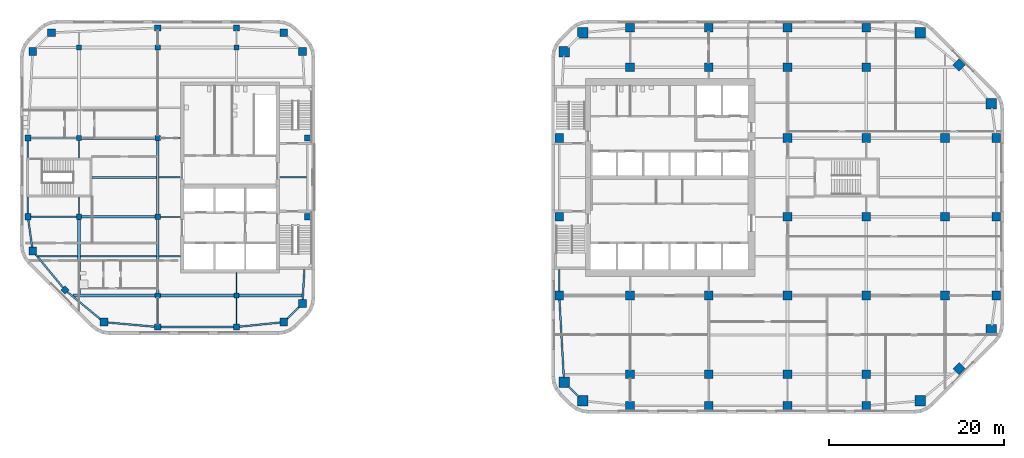
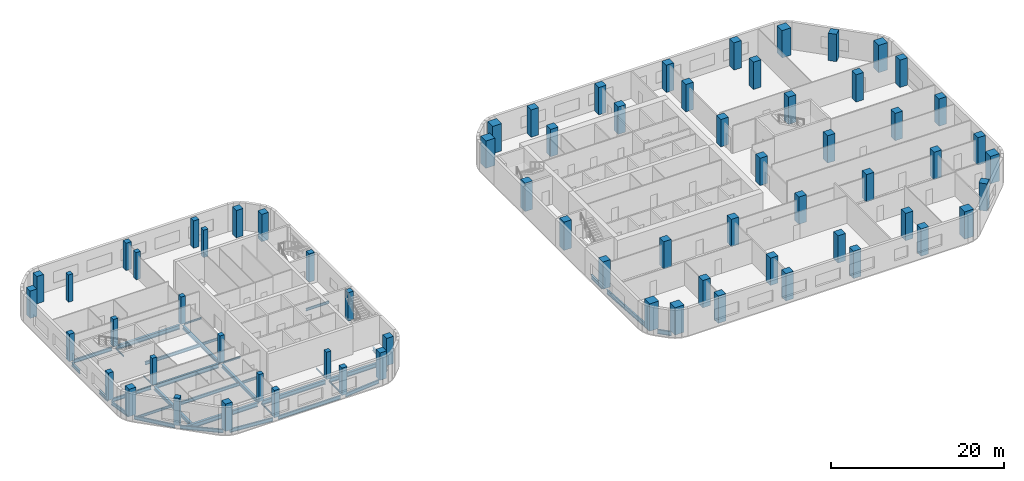
# One storey, part 1 of 14: 69 columns, 36 beams.
"""IFC4 building model written with IfcOpenShell, lengths in metres."""

from ifc_helpers import new_model, si_unit, direction, frame, origin, origin_2d, place, context, subcontext, project, spatial, rectangle, i_section, extrude, material, material_profile, profile_set, type_object, element, save


model = new_model("IFC4")

# Units and contexts
model_context = context("Model", 3, precision=1e-05, world=origin(), true_north=direction((0.0, 1.0)))
body_context = subcontext(model_context, "Body", "Model", "MODEL_VIEW")
ifc_project = project(units=[si_unit("LENGTHUNIT", "METRE"), si_unit("AREAUNIT", "SQUARE_METRE"), si_unit("VOLUMEUNIT", "CUBIC_METRE"), si_unit("PLANEANGLEUNIT", "RADIAN"), si_unit("MASSUNIT", "GRAM", prefix="KILO")], contexts=[model_context])

# Site, building, storey
site_placement = place(None, origin())
site = spatial("IfcSite", under=ifc_project, at=site_placement, CompositionType="ELEMENT")
building_placement = place(site_placement, origin())
building = spatial("IfcBuilding", under=site, at=building_placement, Name="Cinnabar Reach Civic Tower", CompositionType="ELEMENT")
storey_placement = place(building_placement, frame((0.0, 0.0, 104.0)))
storey = spatial("IfcBuildingStorey", under=building, at=storey_placement, Name="L24", CompositionType="ELEMENT", Elevation=104.0)

# Columns
ifc_material_1 = material(Name="Concrete C70", Category="concrete")
ifc_material_profile_1 = material_profile(ifc_material_1, rectangle(XDim=1.0, YDim=1.0, at=origin_2d()), Name="RC1000")
ifc_profile_set_1 = profile_set([ifc_material_profile_1], Name="Concrete C70")
column_type_1 = type_object("IfcColumnType", Name="RC1000 column R 240", PredefinedType="COLUMN", material=ifc_profile_set_1)
for number, where, z_axis, x_axis, name in (
    (1, (9.0, 5.4, 0.0), (0.0, 0.0, 1.0), (1.0, 0.0, 0.0), "Column T1-Z2-F0-1"),
    (2, (18.0, 5.4, 0.0), (0.0, 0.0, 1.0), (1.0, 0.0, 0.0), "Column T1-Z2-F0-2"),
    (3, (27.0, 5.4, 0.0), (0.0, 0.0, 1.0), (1.0, 0.0, 0.0), "Column T1-Z2-F0-3"),
    (4, (36.0, 5.4, 0.0), (0.0, 0.0, 1.0), (1.0, 0.0, 0.0), "Column T1-Z2-F0-4"),
    (5, (46.6136, 9.6364, 0.0), (0.0, 0.0, 1.0), (0.707106781187, 0.707106781187, 0.0), "Column T1-Z2-F1-M"),
    (6, (50.85, 18.0, 0.0), (0.0, 0.0, 1.0), (1.0, 0.0, 0.0), "Column T1-Z2-F2-2"),
    (7, (50.85, 27.0, 0.0), (0.0, 0.0, 1.0), (1.0, 0.0, 0.0), "Column T1-Z2-F2-3"),
    (8, (50.85, 36.0, 0.0), (0.0, 0.0, 1.0), (1.0, 0.0, 0.0), "Column T1-Z2-F2-4"),
    (9, (46.6136, 44.3636, 0.0), (0.0, 0.0, 1.0), (0.707106781187, 0.707106781187, 0.0), "Column T1-Z2-F3-M"),
    (10, (9.0, 48.6, 0.0), (0.0, 0.0, 1.0), (1.0, 0.0, 0.0), "Column T1-Z2-F4-1"),
    (11, (18.0, 48.6, 0.0), (0.0, 0.0, 1.0), (1.0, 0.0, 0.0), "Column T1-Z2-F4-2"),
    (12, (27.0, 48.6, 0.0), (0.0, 0.0, 1.0), (1.0, 0.0, 0.0), "Column T1-Z2-F4-3"),
    (13, (36.0, 48.6, 0.0), (0.0, 0.0, 1.0), (1.0, 0.0, 0.0), "Column T1-Z2-F4-4"),
    (14, (0.9, 18.0, 0.0), (0.0, 0.0, 1.0), (1.0, 0.0, 0.0), "Column T1-Z2-F6-2"),
):
    element("IfcColumn", number, at=place(storey_placement, frame(where, z_axis=z_axis, x_axis=x_axis)), inside=storey, type_object=column_type_1, Name=name, PredefinedType="COLUMN", context=body_context, shape_type="SweptSolid", body=[
        extrude(rectangle(XDim=1.0, YDim=1.0, at=origin_2d()), origin(), (0.0, 0.0, 1.0), 3.85),
    ])
for number, where, z_axis, x_axis, name in (
    (15, (0.9, 27.0, 0.0), (0.0, 0.0, 1.0), (1.0, 0.0, 0.0), "Column T1-Z2-F6-3"),
    (16, (0.9, 36.0, 0.0), (0.0, 0.0, 1.0), (1.0, 0.0, 0.0), "Column T1-Z2-F6-4"),
):
    element("IfcColumn", number, at=place(storey_placement, frame(where, z_axis=z_axis, x_axis=x_axis)), inside=storey, type_object=column_type_1, Name=name, PredefinedType="COLUMN", context=body_context, shape_type="SweptSolid", body=[
        extrude(rectangle(XDim=1.0, YDim=1.0, at=origin_2d()), origin(), (0.0, 0.0, 1.0), 4.0),
    ])
for number, where, z_axis, x_axis, name in (
    (17, (9.0, 9.0, 0.0), (0.0, 0.0, 1.0), (1.0, 0.0, 0.0), "Column T1-Z2-I9_9"),
    (18, (9.0, 18.0, 0.0), (0.0, 0.0, 1.0), (1.0, 0.0, 0.0), "Column T1-Z2-I9_18"),
    (19, (9.0, 44.1, 0.0), (0.0, 0.0, 1.0), (1.0, 0.0, 0.0), "Column T1-Z2-I9_45"),
    (20, (18.0, 9.0, 0.0), (0.0, 0.0, 1.0), (1.0, 0.0, 0.0), "Column T1-Z2-I18_9"),
    (21, (18.0, 18.0, 0.0), (0.0, 0.0, 1.0), (1.0, 0.0, 0.0), "Column T1-Z2-I18_18"),
    (22, (18.0, 44.1, 0.0), (0.0, 0.0, 1.0), (1.0, 0.0, 0.0), "Column T1-Z2-I18_45"),
    (23, (27.0, 9.0, 0.0), (0.0, 0.0, 1.0), (1.0, 0.0, 0.0), "Column T1-Z2-I27_9"),
    (24, (27.0, 18.0, 0.0), (0.0, 0.0, 1.0), (1.0, 0.0, 0.0), "Column T1-Z2-I27_18"),
    (25, (27.0, 27.0, 0.0), (0.0, 0.0, 1.0), (1.0, 0.0, 0.0), "Column T1-Z2-I27_27"),
    (26, (27.0, 36.0, 0.0), (0.0, 0.0, 1.0), (1.0, 0.0, 0.0), "Column T1-Z2-I27_36"),
    (27, (27.0, 44.1, 0.0), (0.0, 0.0, 1.0), (1.0, 0.0, 0.0), "Column T1-Z2-I27_45"),
    (28, (36.0, 9.0, 0.0), (0.0, 0.0, 1.0), (1.0, 0.0, 0.0), "Column T1-Z2-I36_9"),
    (29, (36.0, 18.0, 0.0), (0.0, 0.0, 1.0), (1.0, 0.0, 0.0), "Column T1-Z2-I36_18"),
    (30, (36.0, 27.0, 0.0), (0.0, 0.0, 1.0), (1.0, 0.0, 0.0), "Column T1-Z2-I36_27"),
    (31, (36.0, 36.0, 0.0), (0.0, 0.0, 1.0), (1.0, 0.0, 0.0), "Column T1-Z2-I36_36"),
    (32, (36.0, 44.1, 0.0), (0.0, 0.0, 1.0), (1.0, 0.0, 0.0), "Column T1-Z2-I36_45"),
    (33, (45.0, 18.0, 0.0), (0.0, 0.0, 1.0), (1.0, 0.0, 0.0), "Column T1-Z2-I45_18"),
    (34, (45.0, 27.0, 0.0), (0.0, 0.0, 1.0), (1.0, 0.0, 0.0), "Column T1-Z2-I45_27"),
    (35, (45.0, 36.0, 0.0), (0.0, 0.0, 1.0), (1.0, 0.0, 0.0), "Column T1-Z2-I45_36"),
):
    element("IfcColumn", number, at=place(storey_placement, frame(where, z_axis=z_axis, x_axis=x_axis)), inside=storey, type_object=column_type_1, Name=name, PredefinedType="COLUMN", context=body_context, shape_type="SweptSolid", body=[
        extrude(rectangle(XDim=1.0, YDim=1.0, at=origin_2d()), origin(), (0.0, 0.0, 1.0), 3.85),
    ])
ifc_material_2 = material(Name="Concrete C80", Category="concrete")
ifc_material_profile_2 = material_profile(ifc_material_2, rectangle(XDim=1.2, YDim=1.2, at=origin_2d()), Name="RC1200")
ifc_profile_set_2 = profile_set([ifc_material_profile_2], Name="Concrete C80")
column_type_2 = type_object("IfcColumnType", Name="RC1200 column R 240", PredefinedType="COLUMN", material=ifc_profile_set_2)
for number, where, z_axis, x_axis, name in (
    (36, (3.6019, 5.9531, 0.0), (0.0, 0.0, 1.0), (1.0, 0.0, 0.0), "Column T1-Z2-CC0"),
    (37, (42.1481, 5.9531, 0.0), (0.0, 0.0, 1.0), (1.0, 0.0, 0.0), "Column T1-Z2-CC1"),
    (38, (50.2969, 14.1019, 0.0), (0.0, 0.0, 1.0), (1.0, 0.0, 0.0), "Column T1-Z2-CC2"),
    (39, (50.2969, 39.8981, 0.0), (0.0, 0.0, 1.0), (1.0, 0.0, 0.0), "Column T1-Z2-CC3"),
    (40, (42.1481, 48.0469, 0.0), (0.0, 0.0, 1.0), (1.0, 0.0, 0.0), "Column T1-Z2-CC4"),
    (41, (3.6019, 48.0469, 0.0), (0.0, 0.0, 1.0), (1.0, 0.0, 0.0), "Column T1-Z2-CC5"),
    (42, (1.4531, 45.8981, 0.0), (0.0, 0.0, 1.0), (1.0, 0.0, 0.0), "Column T1-Z2-CC6"),
    (43, (1.4531, 8.1019, 0.0), (0.0, 0.0, 1.0), (1.0, 0.0, 0.0), "Column T1-Z2-CC7"),
):
    element("IfcColumn", number, at=place(storey_placement, frame(where, z_axis=z_axis, x_axis=x_axis)), inside=storey, type_object=column_type_2, Name=name, PredefinedType="COLUMN", context=body_context, shape_type="SweptSolid", body=[
        extrude(rectangle(XDim=1.2, YDim=1.2, at=origin_2d()), origin(), (0.0, 0.0, 1.0), 3.85),
    ])
ifc_material_3 = material(Name="Concrete C60", Category="concrete")
ifc_material_profile_3 = material_profile(ifc_material_3, rectangle(XDim=0.6, YDim=0.6, at=origin_2d()), Name="RC600")
ifc_profile_set_3 = profile_set([ifc_material_profile_3], Name="Concrete C60")
column_type_3 = type_object("IfcColumnType", Name="RC600 column R 180", PredefinedType="COLUMN", material=ifc_profile_set_3)
for number, where, z_axis, x_axis, name in (
    (44, (-54.0, 27.0, 0.0), (0.0, 0.0, 1.0), (1.0, 0.0, 0.0), "Column T2-Z3-I-54_27"),
    (45, (-54.0, 36.0, 0.0), (0.0, 0.0, 1.0), (1.0, 0.0, 0.0), "Column T2-Z3-I-54_36"),
    (46, (-54.0, 46.35, 0.0), (0.0, 0.0, 1.0), (1.0, 0.0, 0.0), "Column T2-Z3-I-54_45"),
    (47, (-45.0, 18.0, 0.0), (0.0, 0.0, 1.0), (1.0, 0.0, 0.0), "Column T2-Z3-I-45_18"),
    (48, (-45.0, 27.0, 0.0), (0.0, 0.0, 1.0), (1.0, 0.0, 0.0), "Column T2-Z3-I-45_27"),
    (49, (-45.0, 36.0, 0.0), (0.0, 0.0, 1.0), (1.0, 0.0, 0.0), "Column T2-Z3-I-45_36"),
    (50, (-45.0, 46.35, 0.0), (0.0, 0.0, 1.0), (1.0, 0.0, 0.0), "Column T2-Z3-I-45_45"),
    (51, (-36.0, 18.0, 0.0), (0.0, 0.0, 1.0), (1.0, 0.0, 0.0), "Column T2-Z3-I-36_18"),
    (52, (-36.0, 46.35, 0.0), (0.0, 0.0, 1.0), (1.0, 0.0, 0.0), "Column T2-Z3-I-36_45"),
):
    element("IfcColumn", number, at=place(storey_placement, frame(where, z_axis=z_axis, x_axis=x_axis)), inside=storey, type_object=column_type_3, Name=name, PredefinedType="COLUMN", context=body_context, shape_type="SweptSolid", body=[
        extrude(rectangle(XDim=0.6, YDim=0.6, at=origin_2d()), origin(), (0.0, 0.0, 1.0), 3.85),
    ])
ifc_material_profile_4 = material_profile(ifc_material_3, rectangle(XDim=0.7, YDim=0.7, at=origin_2d()), Name="RC700")
ifc_profile_set_4 = profile_set([ifc_material_profile_4], Name="Concrete C60")
column_type_4 = type_object("IfcColumnType", Name="RC700 column R 180", PredefinedType="COLUMN", material=ifc_profile_set_4)
for number, where, z_axis, x_axis, name in (
    (53, (-45.0, 14.4, 0.0), (0.0, 0.0, 1.0), (1.0, 0.0, 0.0), "Column T2-Z3-F0--5"),
    (54, (-36.0, 14.4, 0.0), (0.0, 0.0, 1.0), (1.0, 0.0, 0.0), "Column T2-Z3-F0--4"),
):
    element("IfcColumn", number, at=place(storey_placement, frame(where, z_axis=z_axis, x_axis=x_axis)), inside=storey, type_object=column_type_4, Name=name, PredefinedType="COLUMN", context=body_context, shape_type="SweptSolid", body=[
        extrude(rectangle(XDim=0.7, YDim=0.7, at=origin_2d()), origin(), (0.0, 0.0, 1.0), 3.85),
    ])
for number, where, z_axis, x_axis, name in (
    (55, (-27.9, 27.0, 0.0), (0.0, 0.0, 1.0), (1.0, 0.0, 0.0), "Column T2-Z3-F2-3"),
    (56, (-27.9, 36.0, 0.0), (0.0, 0.0, 1.0), (1.0, 0.0, 0.0), "Column T2-Z3-F2-4"),
):
    element("IfcColumn", number, at=place(storey_placement, frame(where, z_axis=z_axis, x_axis=x_axis)), inside=storey, type_object=column_type_4, Name=name, PredefinedType="COLUMN", context=body_context, shape_type="SweptSolid", body=[
        extrude(rectangle(XDim=0.7, YDim=0.7, at=origin_2d()), origin(), (0.0, 0.0, 1.0), 4.0),
    ])
for number, where, z_axis, x_axis, name in (
    (57, (-45.0, 48.6, 0.0), (0.0, 0.0, 1.0), (1.0, 0.0, 0.0), "Column T2-Z3-F4--5"),
    (58, (-36.0, 48.6, 0.0), (0.0, 0.0, 1.0), (1.0, 0.0, 0.0), "Column T2-Z3-F4--4"),
    (59, (-59.85, 27.0, 0.0), (0.0, 0.0, 1.0), (1.0, 0.0, 0.0), "Column T2-Z3-F6-3"),
    (60, (-59.85, 36.0, 0.0), (0.0, 0.0, 1.0), (1.0, 0.0, 0.0), "Column T2-Z3-F6-4"),
    (61, (-55.6136, 18.6364, 0.0), (0.0, 0.0, 1.0), (0.707106781187, 0.707106781187, 0.0), "Column T2-Z3-F7-M"),
):
    element("IfcColumn", number, at=place(storey_placement, frame(where, z_axis=z_axis, x_axis=x_axis)), inside=storey, type_object=column_type_4, Name=name, PredefinedType="COLUMN", context=body_context, shape_type="SweptSolid", body=[
        extrude(rectangle(XDim=0.7, YDim=0.7, at=origin_2d()), origin(), (0.0, 0.0, 1.0), 3.85),
    ])
ifc_material_profile_5 = material_profile(ifc_material_1, rectangle(XDim=0.9, YDim=0.9, at=origin_2d()), Name="RC900")
ifc_profile_set_5 = profile_set([ifc_material_profile_5], Name="Concrete C70")
column_type_5 = type_object("IfcColumnType", Name="RC900 column R 180", PredefinedType="COLUMN", material=ifc_profile_set_5)
for number, where, z_axis, x_axis, name in (
    (62, (-51.1481, 14.9531, 0.0), (0.0, 0.0, 1.0), (1.0, 0.0, 0.0), "Column T2-Z3-CC0"),
    (63, (-30.6019, 14.9531, 0.0), (0.0, 0.0, 1.0), (1.0, 0.0, 0.0), "Column T2-Z3-CC1"),
    (64, (-28.4531, 17.1019, 0.0), (0.0, 0.0, 1.0), (1.0, 0.0, 0.0), "Column T2-Z3-CC2"),
    (65, (-28.4531, 45.8981, 0.0), (0.0, 0.0, 1.0), (1.0, 0.0, 0.0), "Column T2-Z3-CC3"),
    (66, (-30.6019, 48.0469, 0.0), (0.0, 0.0, 1.0), (1.0, 0.0, 0.0), "Column T2-Z3-CC4"),
    (67, (-57.1481, 48.0469, 0.0), (0.0, 0.0, 1.0), (1.0, 0.0, 0.0), "Column T2-Z3-CC5"),
    (68, (-59.2969, 45.8981, 0.0), (0.0, 0.0, 1.0), (1.0, 0.0, 0.0), "Column T2-Z3-CC6"),
    (69, (-59.2969, 23.1019, 0.0), (0.0, 0.0, 1.0), (1.0, 0.0, 0.0), "Column T2-Z3-CC7"),
):
    element("IfcColumn", number, at=place(storey_placement, frame(where, z_axis=z_axis, x_axis=x_axis)), inside=storey, type_object=column_type_5, Name=name, PredefinedType="COLUMN", context=body_context, shape_type="SweptSolid", body=[
        extrude(rectangle(XDim=0.9, YDim=0.9, at=origin_2d()), origin(), (0.0, 0.0, 1.0), 3.85),
    ])

# Beams
ifc_material_4 = material(Name="Steel Q355B", Category="steel")
ifc_material_profile_6 = material_profile(ifc_material_4, i_section(OverallWidth=0.3, OverallDepth=0.488, WebThickness=0.011, FlangeThickness=0.018, FilletRadius=0.016, at=origin_2d()), Name="HM488x300x11x18")
ifc_profile_set_6 = profile_set([ifc_material_profile_6], Name="Steel Q355B")
beam_type_1 = type_object("IfcBeamType", Name="HM488x300x11x18 beam R 120", PredefinedType="BEAM", material=ifc_profile_set_6)
beam_1_placement = place(storey_placement, frame((-54.0, 18.152, -0.394), z_axis=(0.0, 1.0, 0.0), x_axis=(-1.0, 0.0, 0.0)))
element("IfcBeam", 70, at=beam_1_placement, inside=storey, type_object=beam_type_1, Name="Girder T2 L24 1", PredefinedType="BEAM", context=body_context, shape_type="SweptSolid", body=[
    extrude(i_section(OverallWidth=0.3, OverallDepth=0.488, WebThickness=0.011, FlangeThickness=0.018, FilletRadius=0.016, at=origin_2d()), origin(), (0.0, 0.0, 1.0), 8.546),
])
for number, where, z_axis, x_axis, name in (
    (71, (-45.0, 18.302, -0.394), (0.0, 1.0, 0.0), (-1.0, 0.0, 0.0), "Girder T2 L24 7"),
    (72, (-45.0, 27.302, -0.394), (0.0, 1.0, 0.0), (-1.0, 0.0, 0.0), "Girder T2 L24 8"),
):
    element("IfcBeam", number, at=place(storey_placement, frame(where, z_axis=z_axis, x_axis=x_axis)), inside=storey, type_object=beam_type_1, Name=name, PredefinedType="BEAM", context=body_context, shape_type="SweptSolid", body=[
        extrude(i_section(OverallWidth=0.3, OverallDepth=0.488, WebThickness=0.011, FlangeThickness=0.018, FilletRadius=0.016, at=origin_2d()), origin(), (0.0, 0.0, 1.0), 8.396),
    ])
ifc_material_profile_7 = material_profile(ifc_material_4, i_section(OverallWidth=0.3, OverallDepth=0.588, WebThickness=0.012, FlangeThickness=0.02, FilletRadius=0.016, at=origin_2d()), Name="HM588x300x12x20")
ifc_profile_set_7 = profile_set([ifc_material_profile_7], Name="Steel Q355B")
beam_type_2 = type_object("IfcBeamType", Name="HM588x300x12x20 beam R 120", PredefinedType="BEAM", material=ifc_profile_set_7)
beam_2_placement = place(storey_placement, frame((-54.6818, 18.0, -0.444), z_axis=(1.0, 0.0, 0.0), x_axis=(0.0, 1.0, 0.0)))
element("IfcBeam", 73, at=beam_2_placement, inside=storey, type_object=beam_type_2, Name="Girder T2 L24 1", PredefinedType="BEAM", context=body_context, shape_type="SweptSolid", body=[
    extrude(i_section(OverallWidth=0.3, OverallDepth=0.588, WebThickness=0.012, FlangeThickness=0.02, FilletRadius=0.016, at=origin_2d()), origin(), (0.0, 0.0, 1.0), 9.3798),
])
beam_3_placement = place(storey_placement, frame((-44.698, 18.0, -0.444), z_axis=(1.0, 0.0, 0.0), x_axis=(0.0, 1.0, 0.0)))
element("IfcBeam", 74, at=beam_3_placement, inside=storey, type_object=beam_type_2, Name="Girder T2 L24 2", PredefinedType="BEAM", context=body_context, shape_type="SweptSolid", body=[
    extrude(i_section(OverallWidth=0.3, OverallDepth=0.588, WebThickness=0.012, FlangeThickness=0.02, FilletRadius=0.016, at=origin_2d()), origin(), (0.0, 0.0, 1.0), 8.396),
])
beam_4_placement = place(storey_placement, frame((-35.698, 18.0, -0.444), z_axis=(1.0, 0.0, 0.0), x_axis=(0.0, 1.0, 0.0)))
element("IfcBeam", 75, at=beam_4_placement, inside=storey, type_object=beam_type_2, Name="Girder T2 L24 3", PredefinedType="BEAM", context=body_context, shape_type="SweptSolid", body=[
    extrude(i_section(OverallWidth=0.3, OverallDepth=0.588, WebThickness=0.012, FlangeThickness=0.02, FilletRadius=0.016, at=origin_2d()), origin(), (0.0, 0.0, 1.0), 7.1929),
])
for number, where, z_axis, x_axis, name in (
    (76, (-53.698, 27.0, -0.444), (1.0, 0.0, 0.0), (0.0, 1.0, 0.0), "Girder T2 L24 5"),
    (77, (-53.698, 36.0, -0.444), (1.0, 0.0, 0.0), (0.0, 1.0, 0.0), "Girder T2 L24 8"),
):
    element("IfcBeam", number, at=place(storey_placement, frame(where, z_axis=z_axis, x_axis=x_axis)), inside=storey, type_object=beam_type_2, Name=name, PredefinedType="BEAM", context=body_context, shape_type="SweptSolid", body=[
        extrude(i_section(OverallWidth=0.3, OverallDepth=0.588, WebThickness=0.012, FlangeThickness=0.02, FilletRadius=0.016, at=origin_2d()), origin(), (0.0, 0.0, 1.0), 8.396),
    ])
ifc_material_profile_8 = material_profile(ifc_material_4, i_section(OverallWidth=0.099, OverallDepth=0.198, WebThickness=0.0045, FlangeThickness=0.007, FilletRadius=0.013, at=origin_2d()), Name="HN200x100x5.5x8")
ifc_profile_set_8 = profile_set([ifc_material_profile_8], Name="Steel Q355B")
beam_type_3 = type_object("IfcBeamType", Name="HN200x100x5.5x8 beam R 120", PredefinedType="BEAM", material=ifc_profile_set_8)
for number, where, z_axis, x_axis, name in (
    (78, (-54.0, 27.302, -0.249), (0.0, 1.0, 0.0), (-1.0, 0.0, 0.0), "Girder T2 L24 2"),
    (79, (-54.0, 33.752, -0.249), (0.0, 1.0, 0.0), (-1.0, 0.0, 0.0), "Girder T2 L24 3"),
):
    element("IfcBeam", number, at=place(storey_placement, frame(where, z_axis=z_axis, x_axis=x_axis)), inside=storey, type_object=beam_type_3, Name=name, PredefinedType="BEAM", context=body_context, shape_type="SweptSolid", body=[
        extrude(i_section(OverallWidth=0.099, OverallDepth=0.198, WebThickness=0.0045, FlangeThickness=0.007, FilletRadius=0.013, at=origin_2d()), origin(), (0.0, 0.0, 1.0), 1.946),
    ])
for number, where, z_axis, x_axis, name in (
    (80, (-45.0, 14.752, -0.249), (0.0, 1.0, 0.0), (-1.0, 0.0, 0.0), "Girder T2 L24 6"),
    (81, (-36.0, 14.752, -0.249), (0.0, 1.0, 0.0), (-1.0, 0.0, 0.0), "Girder T2 L24 11"),
):
    element("IfcBeam", number, at=place(storey_placement, frame(where, z_axis=z_axis, x_axis=x_axis)), inside=storey, type_object=beam_type_3, Name=name, PredefinedType="BEAM", context=body_context, shape_type="SweptSolid", body=[
        extrude(i_section(OverallWidth=0.099, OverallDepth=0.198, WebThickness=0.0045, FlangeThickness=0.007, FilletRadius=0.013, at=origin_2d()), origin(), (0.0, 0.0, 1.0), 2.946),
    ])
beam_5_placement = place(storey_placement, frame((-36.0, 18.302, -0.249), z_axis=(0.0, 1.0, 0.0), x_axis=(-1.0, 0.0, 0.0)))
element("IfcBeam", 82, at=beam_5_placement, inside=storey, type_object=beam_type_3, Name="Girder T2 L24 12", PredefinedType="BEAM", context=body_context, shape_type="SweptSolid", body=[
    extrude(i_section(OverallWidth=0.099, OverallDepth=0.198, WebThickness=0.0045, FlangeThickness=0.007, FilletRadius=0.013, at=origin_2d()), origin(), (0.0, 0.0, 1.0), 2.296),
])
ifc_material_profile_9 = material_profile(ifc_material_4, i_section(OverallWidth=0.124, OverallDepth=0.248, WebThickness=0.005, FlangeThickness=0.008, FilletRadius=0.013, at=origin_2d()), Name="HN250x125x6x9")
ifc_profile_set_9 = profile_set([ifc_material_profile_9], Name="Steel Q355B")
beam_type_4 = type_object("IfcBeamType", Name="HN250x125x6x9 beam R 120", PredefinedType="BEAM", material=ifc_profile_set_9)
for number, where, z_axis, x_axis, name in (
    (83, (-44.698, 27.0, -0.274), (1.0, 0.0, 0.0), (0.0, 1.0, 0.0), "Girder T2 L24 6"),
    (84, (-44.698, 36.0, -0.274), (1.0, 0.0, 0.0), (0.0, 1.0, 0.0), "Girder T2 L24 9"),
):
    element("IfcBeam", number, at=place(storey_placement, frame(where, z_axis=z_axis, x_axis=x_axis)), inside=storey, type_object=beam_type_4, Name=name, PredefinedType="BEAM", context=body_context, shape_type="SweptSolid", body=[
        extrude(i_section(OverallWidth=0.124, OverallDepth=0.248, WebThickness=0.005, FlangeThickness=0.008, FilletRadius=0.013, at=origin_2d()), origin(), (0.0, 0.0, 1.0), 2.296),
    ])
ifc_material_profile_10 = material_profile(ifc_material_4, i_section(OverallWidth=0.175, OverallDepth=0.35, WebThickness=0.007, FlangeThickness=0.011, FilletRadius=0.013, at=origin_2d()), Name="HN350x175x7x11")
ifc_profile_set_10 = profile_set([ifc_material_profile_10], Name="Steel Q355B")
beam_type_5 = type_object("IfcBeamType", Name="HN350x175x7x11 beam R 120", PredefinedType="BEAM", material=ifc_profile_set_10)
beam_6_placement = place(storey_placement, frame((-58.6682, 22.5, -0.325), z_axis=(1.0, 0.0, 0.0), x_axis=(0.0, 1.0, 0.0)))
element("IfcBeam", 85, at=beam_6_placement, inside=storey, type_object=beam_type_5, Name="Secondary beam T2 L24 1", PredefinedType="BEAM", context=body_context, shape_type="SweptSolid", body=[
    extrude(i_section(OverallWidth=0.175, OverallDepth=0.35, WebThickness=0.007, FlangeThickness=0.011, FilletRadius=0.013, at=origin_2d()), origin(), (0.0, 0.0, 1.0), 4.5162),
])
for number, where, z_axis, x_axis, name in (
    (86, (-44.848, 22.5, -0.325), (1.0, 0.0, 0.0), (0.0, 1.0, 0.0), "Secondary beam T2 L24 3"),
    (87, (-44.848, 31.5, -0.325), (1.0, 0.0, 0.0), (0.0, 1.0, 0.0), "Secondary beam T2 L24 5"),
):
    element("IfcBeam", number, at=place(storey_placement, frame(where, z_axis=z_axis, x_axis=x_axis)), inside=storey, type_object=beam_type_5, Name=name, PredefinedType="BEAM", context=body_context, shape_type="SweptSolid", body=[
        extrude(i_section(OverallWidth=0.175, OverallDepth=0.35, WebThickness=0.007, FlangeThickness=0.011, FilletRadius=0.013, at=origin_2d()), origin(), (0.0, 0.0, 1.0), 2.446),
    ])
beam_7_placement = place(storey_placement, frame((-31.098, 31.5, -0.325), z_axis=(1.0, 0.0, 0.0), x_axis=(0.0, 1.0, 0.0)))
element("IfcBeam", 88, at=beam_7_placement, inside=storey, type_object=beam_type_5, Name="Secondary beam T2 L24 6", PredefinedType="BEAM", context=body_context, shape_type="SweptSolid", body=[
    extrude(i_section(OverallWidth=0.175, OverallDepth=0.35, WebThickness=0.007, FlangeThickness=0.011, FilletRadius=0.013, at=origin_2d()), origin(), (0.0, 0.0, 1.0), 3.096),
])
ifc_material_profile_11 = material_profile(ifc_material_4, i_section(OverallWidth=0.2, OverallDepth=0.45, WebThickness=0.009, FlangeThickness=0.014, FilletRadius=0.016, at=origin_2d()), Name="HN450x200x9x14")
ifc_profile_set_11 = profile_set([ifc_material_profile_11], Name="Steel Q355B")
beam_type_6 = type_object("IfcBeamType", Name="HN450x200x9x14 beam R 120", PredefinedType="BEAM", material=ifc_profile_set_11)
beam_8_placement = place(storey_placement, frame((-53.848, 22.5, -0.375), z_axis=(1.0, 0.0, 0.0), x_axis=(0.0, 1.0, 0.0)))
element("IfcBeam", 89, at=beam_8_placement, inside=storey, type_object=beam_type_6, Name="Secondary beam T2 L24 2", PredefinedType="BEAM", context=body_context, shape_type="SweptSolid", body=[
    extrude(i_section(OverallWidth=0.2, OverallDepth=0.45, WebThickness=0.009, FlangeThickness=0.014, FilletRadius=0.016, at=origin_2d()), origin(), (0.0, 0.0, 1.0), 8.696),
])
beam_9_placement = place(storey_placement, frame((-52.498, 31.5, -0.375), z_axis=(1.0, 0.0, 0.0), x_axis=(0.0, 1.0, 0.0)))
element("IfcBeam", 90, at=beam_9_placement, inside=storey, type_object=beam_type_6, Name="Secondary beam T2 L24 4", PredefinedType="BEAM", context=body_context, shape_type="SweptSolid", body=[
    extrude(i_section(OverallWidth=0.2, OverallDepth=0.45, WebThickness=0.009, FlangeThickness=0.014, FilletRadius=0.016, at=origin_2d()), origin(), (0.0, 0.0, 1.0), 7.346),
])
ifc_material_profile_12 = material_profile(ifc_material_4, i_section(OverallWidth=0.2, OverallDepth=0.5, WebThickness=0.01, FlangeThickness=0.016, FilletRadius=0.016, at=origin_2d()), Name="HN500x200x10x16")
ifc_profile_set_12 = profile_set([ifc_material_profile_12], Name="Steel Q355B")
beam_type_7 = type_object("IfcBeamType", Name="HN500x200x10x16 beam R 120", PredefinedType="BEAM", material=ifc_profile_set_12)
beam_10_placement = place(storey_placement, frame((-50.8161, 14.9232, -0.4), z_axis=(0.99597881512, -0.089589060894, 0.0), x_axis=(0.089589060894, 0.99597881512, 0.0)))
element("IfcBeam", 91, at=beam_10_placement, inside=storey, type_object=beam_type_7, Name="Edge beam T2 L24 1", PredefinedType="BEAM", context=body_context, shape_type="SweptSolid", body=[
    extrude(i_section(OverallWidth=0.2, OverallDepth=0.5, WebThickness=0.01, FlangeThickness=0.016, FilletRadius=0.016, at=origin_2d()), origin(), (0.0, 0.0, 1.0), 5.4862),
])
beam_11_placement = place(storey_placement, frame((-44.648, 14.4, -0.4), z_axis=(1.0, 0.0, 0.0), x_axis=(0.0, 1.0, 0.0)))
element("IfcBeam", 92, at=beam_11_placement, inside=storey, type_object=beam_type_7, Name="Edge beam T2 L24 2", PredefinedType="BEAM", context=body_context, shape_type="SweptSolid", body=[
    extrude(i_section(OverallWidth=0.2, OverallDepth=0.5, WebThickness=0.01, FlangeThickness=0.016, FilletRadius=0.016, at=origin_2d()), origin(), (0.0, 0.0, 1.0), 8.296),
])
beam_12_placement = place(storey_placement, frame((-35.648, 14.4361, -0.4), z_axis=(0.994792087401, 0.101924986363, 0.0), x_axis=(-0.101924986363, 0.994792087401, 0.0)))
element("IfcBeam", 93, at=beam_12_placement, inside=storey, type_object=beam_type_7, Name="Edge beam T2 L24 3", PredefinedType="BEAM", context=body_context, shape_type="SweptSolid", body=[
    extrude(i_section(OverallWidth=0.2, OverallDepth=0.5, WebThickness=0.01, FlangeThickness=0.016, FilletRadius=0.016, at=origin_2d()), origin(), (0.0, 0.0, 1.0), 4.7388),
])
beam_13_placement = place(storey_placement, frame((-30.2699, 15.2851, -0.4), z_axis=(0.707106781187, 0.707106781187, 0.0), x_axis=(-0.707106781187, 0.707106781187, 0.0)))
element("IfcBeam", 94, at=beam_13_placement, inside=storey, type_object=beam_type_7, Name="Edge beam T2 L24 4", PredefinedType="BEAM", context=body_context, shape_type="SweptSolid", body=[
    extrude(i_section(OverallWidth=0.2, OverallDepth=0.5, WebThickness=0.01, FlangeThickness=0.016, FilletRadius=0.016, at=origin_2d()), origin(), (0.0, 0.0, 1.0), 2.0998),
])
beam_14_placement = place(storey_placement, frame((-28.4345, 17.4339, -0.4), z_axis=(0.055775670196, 0.99844332569, 0.0), x_axis=(-0.99844332569, 0.055775670196, 0.0)))
element("IfcBeam", 95, at=beam_14_placement, inside=storey, type_object=beam_type_7, Name="Edge beam T2 L24 5", PredefinedType="BEAM", context=body_context, shape_type="SweptSolid", body=[
    extrude(i_section(OverallWidth=0.2, OverallDepth=0.5, WebThickness=0.01, FlangeThickness=0.016, FilletRadius=0.016, at=origin_2d()), origin(), (0.0, 0.0, 1.0), 3.5697),
])
for number, where, z_axis, x_axis, name in (
    (96, (-59.85, 35.648, -0.4), (0.0, -1.0, 0.0), (1.0, 0.0, 0.0), "Edge beam T2 L24 14"),
    (97, (-59.85, 29.248, -0.4), (0.0, -1.0, 0.0), (1.0, 0.0, 0.0), "Edge beam T2 L24 15"),
):
    element("IfcBeam", number, at=place(storey_placement, frame(where, z_axis=z_axis, x_axis=x_axis)), inside=storey, type_object=beam_type_7, Name=name, PredefinedType="BEAM", context=body_context, shape_type="SweptSolid", body=[
        extrude(i_section(OverallWidth=0.2, OverallDepth=0.5, WebThickness=0.01, FlangeThickness=0.016, FilletRadius=0.016, at=origin_2d()), origin(), (0.0, 0.0, 1.0), 1.896),
    ])
beam_15_placement = place(storey_placement, frame((-59.8001, 26.648, -0.4), z_axis=(0.140498398047, -0.990080905859, 0.0), x_axis=(0.990080905859, 0.140498398047, 0.0)))
element("IfcBeam", 98, at=beam_15_placement, inside=storey, type_object=beam_type_7, Name="Edge beam T2 L24 16", PredefinedType="BEAM", context=body_context, shape_type="SweptSolid", body=[
    extrude(i_section(OverallWidth=0.2, OverallDepth=0.5, WebThickness=0.01, FlangeThickness=0.016, FilletRadius=0.016, at=origin_2d()), origin(), (0.0, 0.0, 1.0), 3.2463),
])
for number, where, z_axis, x_axis, name in (
    (99, (-59.0231, 22.7699, -0.4), (0.636307764727, -0.771435304189, 0.0), (0.771435304189, 0.636307764727, 0.0), "Edge beam T2 L24 17"),
    (100, (-55.3873, 18.4497, -0.4), (0.771435304189, -0.636307764727, 0.0), (0.636307764727, 0.771435304189, 0.0), "Edge beam T2 L24 18"),
):
    element("IfcBeam", number, at=place(storey_placement, frame(where, z_axis=z_axis, x_axis=x_axis)), inside=storey, type_object=beam_type_7, Name=name, PredefinedType="BEAM", context=body_context, shape_type="SweptSolid", body=[
        extrude(i_section(OverallWidth=0.2, OverallDepth=0.5, WebThickness=0.01, FlangeThickness=0.016, FilletRadius=0.016, at=origin_2d()), origin(), (0.0, 0.0, 1.0), 5.0648),
    ])
for number, where, z_axis, x_axis, name in (
    (101, (-59.498, 27.0, -0.4), (1.0, 0.0, 0.0), (0.0, 1.0, 0.0), "Girder T2 L24 4"),
    (102, (-59.498, 36.0, -0.4), (1.0, 0.0, 0.0), (0.0, 1.0, 0.0), "Girder T2 L24 7"),
):
    element("IfcBeam", number, at=place(storey_placement, frame(where, z_axis=z_axis, x_axis=x_axis)), inside=storey, type_object=beam_type_7, Name=name, PredefinedType="BEAM", context=body_context, shape_type="SweptSolid", body=[
        extrude(i_section(OverallWidth=0.2, OverallDepth=0.5, WebThickness=0.01, FlangeThickness=0.016, FilletRadius=0.016, at=origin_2d()), origin(), (0.0, 0.0, 1.0), 5.196),
    ])
ifc_material_profile_13 = material_profile(ifc_material_4, i_section(OverallWidth=0.2, OverallDepth=0.6, WebThickness=0.011, FlangeThickness=0.017, FilletRadius=0.016, at=origin_2d()), Name="HN600x200x11x17")
ifc_profile_set_13 = profile_set([ifc_material_profile_13], Name="Steel Q355B")
beam_type_8 = type_object("IfcBeamType", Name="HN600x200x11x17 beam R 180", PredefinedType="BEAM", material=ifc_profile_set_13)
beam_16_placement = place(storey_placement, frame((0.9, 20.998, -0.45), z_axis=(0.0, -1.0, 0.0), x_axis=(1.0, 0.0, 0.0)))
element("IfcBeam", 103, at=beam_16_placement, inside=storey, type_object=beam_type_8, Name="Edge beam T1 L24 22", PredefinedType="BEAM", context=body_context, shape_type="SweptSolid", body=[
    extrude(i_section(OverallWidth=0.2, OverallDepth=0.6, WebThickness=0.011, FlangeThickness=0.017, FilletRadius=0.016, at=origin_2d()), origin(), (0.0, 0.0, 1.0), 2.496),
])
beam_17_placement = place(storey_placement, frame((0.9281, 17.498, -0.45), z_axis=(0.055790736166, -0.998442483951, 0.0), x_axis=(0.998442483951, 0.055790736166, 0.0)))
element("IfcBeam", 104, at=beam_17_placement, inside=storey, type_object=beam_type_8, Name="Edge beam T1 L24 23", PredefinedType="BEAM", context=body_context, shape_type="SweptSolid", body=[
    extrude(i_section(OverallWidth=0.2, OverallDepth=0.6, WebThickness=0.011, FlangeThickness=0.017, FilletRadius=0.016, at=origin_2d()), origin(), (0.0, 0.0, 1.0), 8.928),
])
beam_18_placement = place(storey_placement, frame((1.9351, 7.6199, -0.45), z_axis=(0.707106781187, -0.707106781187, 0.0), x_axis=(0.707106781187, 0.707106781187, 0.0)))
element("IfcBeam", 105, at=beam_18_placement, inside=storey, type_object=beam_type_8, Name="Edge beam T1 L24 24", PredefinedType="BEAM", context=body_context, shape_type="SweptSolid", body=[
    extrude(i_section(OverallWidth=0.2, OverallDepth=0.6, WebThickness=0.011, FlangeThickness=0.017, FilletRadius=0.016, at=origin_2d()), origin(), (0.0, 0.0, 1.0), 1.6756),
])

save(model, "model.ifc")
